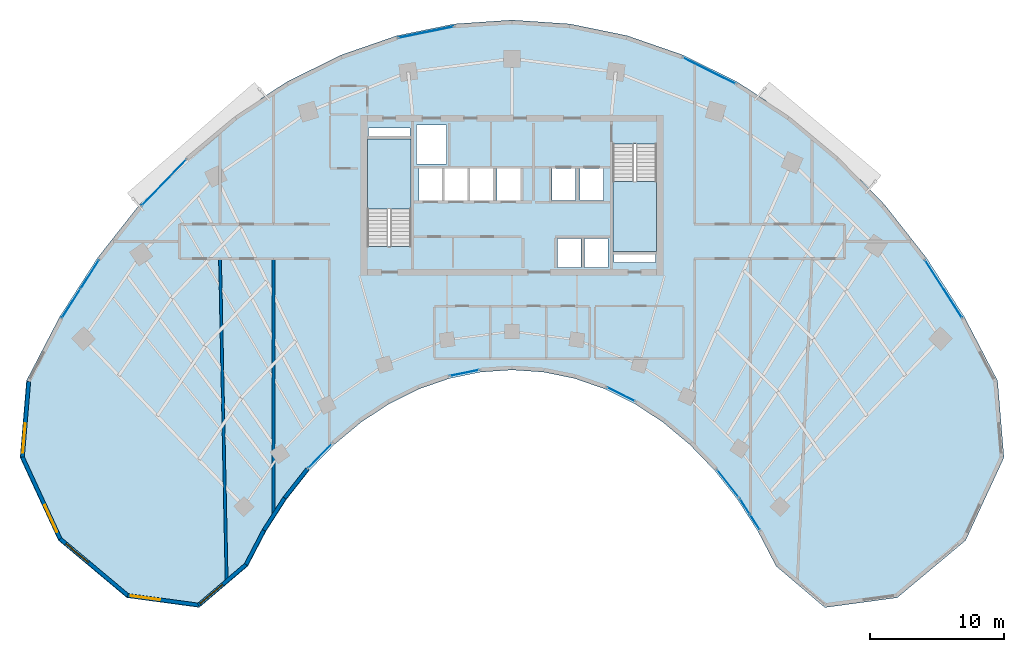
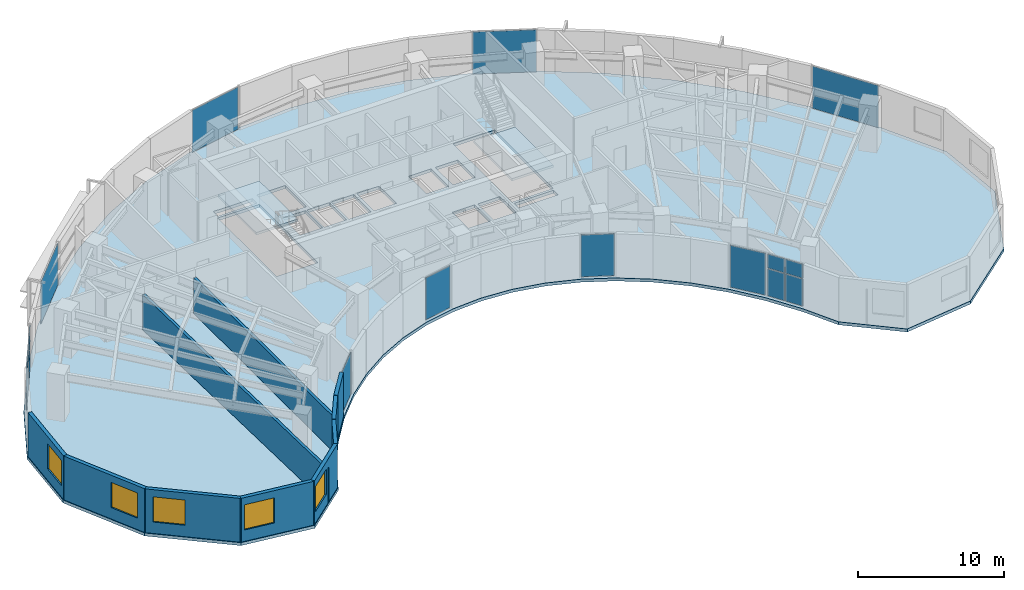
# One storey, part 7 of 14: 16 plates, 10 walls, 5 windows, 3 slabs, 5 openings, 12 elements without a shape of their own.
"""IFC4 building model written with IfcOpenShell, lengths in metres."""

from ifc_helpers import new_model, si_unit, direction, frame, frame_2d, origin, origin_2d, place, context, subcontext, project, spatial, polyline, rectangle, outline, extrude, source, transform, mapped, material, layer, layer_set, type_object, type_shapes, element, fill, aggregate, save


model = new_model("IFC4")

# Units and contexts
model_context = context("Model", 3, precision=1e-05, world=origin(), true_north=direction((0.0, 1.0)))
body_context = subcontext(model_context, "Body", "Model", "MODEL_VIEW")
ifc_project = project(units=[si_unit("LENGTHUNIT", "METRE"), si_unit("AREAUNIT", "SQUARE_METRE"), si_unit("VOLUMEUNIT", "CUBIC_METRE"), si_unit("PLANEANGLEUNIT", "RADIAN"), si_unit("MASSUNIT", "GRAM", prefix="KILO")], contexts=[model_context])

# Site, building, storey
site_placement = place(None, origin())
site = spatial("IfcSite", under=ifc_project, at=site_placement, CompositionType="ELEMENT")
building_placement = place(site_placement, origin())
building = spatial("IfcBuilding", under=site, at=building_placement, Name="Breltana Convention Tower", CompositionType="ELEMENT")
storey_placement = place(building_placement, frame((0.0, 0.0, 135.0)))
storey = spatial("IfcBuildingStorey", under=building, at=storey_placement, Name="L32", CompositionType="ELEMENT", Elevation=135.0)

# Slab
ifc_material_1 = material(Name="Concrete C40/50", Category="concrete")
ifc_layer_1 = layer(ifc_material_1, 0.25, Name="Concrete C40/50")
ifc_layer_set_1 = layer_set([ifc_layer_1], Name="Concrete C40/50")
slab_type_1 = type_object("IfcSlabType", Name="SL-OFF-250", PredefinedType="FLOOR", material=ifc_layer_set_1)
slab_1_placement = place(storey_placement, frame((0.0, 0.0, -0.25)))
element("IfcSlab", 1, at=slab_1_placement, inside=storey, type_object=slab_type_1, Name="L32 Suspended Structural Floor Slab", PredefinedType="FLOOR", context=body_context, shape_type="SweptSolid", body=[
    extrude(outline(polyline([(84.254150390625, 52.3564453125), (81.779052734375, 57.1103515625), (78.958251953125, 61.5048828125), (75.820556640625, 65.494873046875), (72.39794921875, 69.03955078125), (68.7255859375, 72.1025390625), (64.841064453125, 74.652587890625), (60.783935546875, 76.663818359375), (56.59619140625, 78.114990234375), (52.3203125, 78.99169921875), (48.0, 79.284912109375), (43.6796875, 78.99169921875), (39.40380859375, 78.114990234375), (35.216064453125, 76.663818359375), (31.158935546875, 74.652587890625), (27.2744140625, 72.1025390625), (23.60205078125, 69.03955078125), (20.179443359375, 65.494873046875), (17.041748046875, 61.5048828125), (14.220947265625, 57.1103515625), (11.745849609375, 52.3564453125), (11.266357421875, 46.619384765625), (14.128173828125, 40.42919921875), (19.23828125, 36.150146484375), (24.64501953125, 35.4169921875), (28.282958984375, 38.509521484375), (29.62890625, 41.09521484375), (31.1630859375, 43.485107421875), (32.869384765625, 45.655029296875), (34.73095703125, 47.5830078125), (36.728271484375, 49.248779296875), (38.8408203125, 50.6357421875), (41.04736328125, 51.7294921875), (43.324951171875, 52.518798828125), (45.650390625, 52.99560546875), (48.0, 53.155029296875), (50.349609375, 52.99560546875), (52.675048828125, 52.518798828125), (54.95263671875, 51.7294921875), (57.1591796875, 50.6357421875), (59.271728515625, 49.248779296875), (61.26904296875, 47.5830078125), (63.130615234375, 45.655029296875), (64.8369140625, 43.485107421875), (66.37109375, 41.09521484375), (67.717041015625, 38.509521484375), (71.35498046875, 35.4169921875), (76.76171875, 36.150146484375), (81.871826171875, 40.42919921875), (84.733642578125, 46.619384765625), (84.254150390625, 52.3564453125)]), holes=[polyline([(37.199951171875, 62.385009765625), (40.469970703125, 62.385009765625), (40.469970703125, 70.39990234375), (37.199951171875, 70.39990234375), (37.199951171875, 62.385009765625)]), polyline([(55.530029296875, 62.0), (58.800048828125, 62.0), (58.800048828125, 70.014892578125), (55.530029296875, 70.014892578125), (55.530029296875, 62.0)]), polyline([(51.39990234375, 60.800048828125), (53.159912109375, 60.800048828125), (53.159912109375, 62.97998046875), (51.39990234375, 62.97998046875), (51.39990234375, 60.800048828125)]), polyline([(53.39990234375, 60.800048828125), (55.159912109375, 60.800048828125), (55.159912109375, 62.97998046875), (53.39990234375, 62.97998046875), (53.39990234375, 60.800048828125)]), polyline([(41.0400390625, 65.820068359375), (42.800048828125, 65.820068359375), (42.800048828125, 68.179931640625), (41.0400390625, 68.179931640625), (41.0400390625, 65.820068359375)]), polyline([(42.93994140625, 65.820068359375), (44.699951171875, 65.820068359375), (44.699951171875, 68.179931640625), (42.93994140625, 68.179931640625), (42.93994140625, 65.820068359375)]), polyline([(44.8701171875, 65.820068359375), (46.6298828125, 65.820068359375), (46.6298828125, 68.179931640625), (44.8701171875, 68.179931640625), (44.8701171875, 65.820068359375)]), polyline([(46.8701171875, 65.820068359375), (48.6298828125, 65.820068359375), (48.6298828125, 68.179931640625), (46.8701171875, 68.179931640625), (46.8701171875, 65.820068359375)]), polyline([(50.969970703125, 65.800048828125), (52.72998046875, 65.800048828125), (52.72998046875, 68.179931640625), (50.969970703125, 68.179931640625), (50.969970703125, 65.800048828125)]), polyline([(53.070068359375, 65.800048828125), (54.830078125, 65.800048828125), (54.830078125, 68.179931640625), (53.070068359375, 68.179931640625), (53.070068359375, 65.800048828125)]), polyline([(40.8798828125, 68.550048828125), (43.1201171875, 68.550048828125), (43.1201171875, 71.449951171875), (40.8798828125, 71.449951171875), (40.8798828125, 68.550048828125)]), polyline([(37.300048828125, 70.60009765625), (40.3798828125, 70.60009765625), (40.3798828125, 71.219970703125), (37.300048828125, 71.219970703125), (37.300048828125, 70.60009765625)]), polyline([(55.6201171875, 61.179931640625), (58.699951171875, 61.179931640625), (58.699951171875, 61.800048828125), (55.6201171875, 61.800048828125), (55.6201171875, 61.179931640625)])]), origin(), (0.0, 0.0, 1.0), 0.25),
])

# Stair, slab
stair_type = type_object("IfcStairType", Name="ST-DOG-1560-R177", PredefinedType="HALF_TURN_STAIR", material=ifc_material_1)
stair_1_placement = place(storey_placement, origin())
stair_1 = element("IfcStair", 2, at=stair_1_placement, inside=storey, type_object=stair_type, Name="L32 Protected Core Exit Stair ST-1", PredefinedType="HALF_TURN_STAIR")
ifc_layer_2 = layer(ifc_material_1, 0.199951171875, Name="Concrete C40/50")
ifc_layer_set_2 = layer_set([ifc_layer_2], Name="Concrete C40/50")
slab_type_2 = type_object("IfcSlabType", Name="SL-STAIR-LANDING-200", PredefinedType="LANDING", material=ifc_layer_set_2)
slab_2_placement = place(storey_placement, frame((0.0, 0.0, 1.75)))
slab_2 = element("IfcSlab", 3, at=slab_2_placement, type_object=slab_type_2, Name="ST-1 landing 1", PredefinedType="LANDING", context=body_context, shape_type="SweptSolid", body=[
    extrude(outline(polyline([(40.469970703125, 65.159912109375), (40.469970703125, 70.39990234375), (37.199951171875, 70.39990234375), (37.199951171875, 65.159912109375), (40.469970703125, 65.159912109375)])), origin(), (0.0, 0.0, 1.0), 0.199951171875),
])
aggregate(stair_1, [slab_2])

stair_2_placement = place(storey_placement, origin())
stair_2 = element("IfcStair", 4, at=stair_2_placement, inside=storey, type_object=stair_type, Name="L32 Protected Core Exit Stair ST-2", PredefinedType="HALF_TURN_STAIR")
slab_3_placement = place(storey_placement, frame((0.0, 0.0, 1.75)))
slab_3 = element("IfcSlab", 5, at=slab_3_placement, type_object=slab_type_2, Name="ST-2 landing 1", PredefinedType="LANDING", context=body_context, shape_type="SweptSolid", body=[
    extrude(outline(polyline([(55.530029296875, 67.239990234375), (55.530029296875, 62.0), (58.800048828125, 62.0), (58.800048828125, 67.239990234375), (55.530029296875, 67.239990234375)])), origin(), (0.0, 0.0, 1.0), 0.199951171875),
])
aggregate(stair_2, [slab_3])

# Curtain wall, plates
ifc_material_2 = material(Name="Aluminium Anodised Bronze Frame", Category="aluminium")
ifc_layer_3 = layer(ifc_material_2, 0.18994140625, Name="Aluminium Anodised Bronze Frame")
ifc_layer_set_3 = layer_set([ifc_layer_3], Name="Aluminium Anodised Bronze Frame")
curtain_wall_type_1 = type_object("IfcCurtainWallType", Name="CW-SYS-1", PredefinedType="NOTDEFINED", material=ifc_layer_set_3)
curtain_wall_1_placement = place(storey_placement, origin())
curtain_wall_1 = element("IfcCurtainWall", 6, at=curtain_wall_1_placement, inside=storey, type_object=curtain_wall_type_1, Name="L32 inner south-court glazing 1", PredefinedType="NOTDEFINED")
ifc_material_3 = material(Name="Glass Low-E Double Glazing", Category="glass")
ifc_layer_4 = layer(ifc_material_3, 0.028076171875, Name="Glass Low-E Double Glazing")
ifc_layer_set_4 = layer_set([ifc_layer_4], Name="Glass Low-E Double Glazing")
plate_type_1 = type_object("IfcPlateType", Name="CWP-IGU-28", PredefinedType="CURTAIN_PANEL", material=ifc_layer_set_4)
shared_shape_1 = source(origin(), body_context, "Body", "SweptSolid", [
    extrude(rectangle(XDim=1.300048828125, YDim=0.028076171875, at=origin_2d()), origin(), (0.0, 0.0, 1.0), 2.25244140625),
])
plate_1_placement = place(storey_placement, frame((66.128173828125, 41.806640625, 0.080078125), z_axis=(0.0, 0.0, 1.0), x_axis=(-0.5401773017, 0.841551235949, 0.0)))
plate_1 = element("IfcPlate", 7, at=plate_1_placement, type_object=plate_type_1, Name="CW-01 panel 1.1", PredefinedType="CURTAIN_PANEL", context=body_context, shape_type="MappedRepresentation", body=[
    mapped(shared_shape_1, transform((0.0, 0.0, 0.0), scale=1.0)),
])
plate_2_placement = place(storey_placement, frame((65.3828125, 42.968017578125, 0.080078125), z_axis=(0.0, 0.0, 1.0), x_axis=(-0.5401773017, 0.841551235949, 0.0)))
plate_2 = element("IfcPlate", 8, at=plate_2_placement, type_object=plate_type_1, Name="CW-01 panel 2.1", PredefinedType="CURTAIN_PANEL", context=body_context, shape_type="MappedRepresentation", body=[
    mapped(shared_shape_1, transform((0.0, 0.0, 0.0), scale=1.0)),
])
shared_shape_2 = source(origin(), body_context, "Body", "SweptSolid", [
    extrude(rectangle(XDim=1.300048828125, YDim=0.028076171875, at=origin_2d()), origin(), (0.0, 0.0, 1.0), 1.157470703125),
])
plate_3_placement = place(storey_placement, frame((66.128173828125, 41.806640625, 2.41259765625), z_axis=(0.0, 0.0, 1.0), x_axis=(-0.5401773017, 0.841551235949, 0.0)))
plate_3 = element("IfcPlate", 9, at=plate_3_placement, type_object=plate_type_1, Name="CW-01 panel 1.2", PredefinedType="CURTAIN_PANEL", context=body_context, shape_type="MappedRepresentation", body=[
    mapped(shared_shape_2, transform((0.0, 0.0, 0.0), scale=1.0)),
])
plate_4_placement = place(storey_placement, frame((65.3828125, 42.968017578125, 2.41259765625), z_axis=(0.0, 0.0, 1.0), x_axis=(-0.5401773017, 0.841551235949, 0.0)))
plate_4 = element("IfcPlate", 10, at=plate_4_placement, type_object=plate_type_1, Name="CW-01 panel 2.2", PredefinedType="CURTAIN_PANEL", context=body_context, shape_type="MappedRepresentation", body=[
    mapped(shared_shape_2, transform((0.0, 0.0, 0.0), scale=1.0)),
])
aggregate(curtain_wall_1, [plate_1, plate_3, plate_2, plate_4])

# Curtain wall, plate
curtain_wall_2_placement = place(storey_placement, origin())
curtain_wall_2 = element("IfcCurtainWall", 11, at=curtain_wall_2_placement, inside=storey, type_object=curtain_wall_type_1, Name="L32 inner south-court glazing 2", PredefinedType="NOTDEFINED")
shared_shape_3 = source(origin(), body_context, "Body", "SweptSolid", [
    extrude(rectangle(XDim=2.6005859375, YDim=0.028076171875, at=origin_2d()), origin(), (0.0, 0.0, 1.0), 3.489990234375),
])
plate_5_placement = place(storey_placement, frame((64.125244140625, 44.681396484375, 0.080078125), z_axis=(0.0, 0.0, 1.0), x_axis=(-0.61815745037, 0.786054302547, 0.0)))
plate_5 = element("IfcPlate", 12, at=plate_5_placement, type_object=plate_type_1, Name="CW-01 panel 1.1", PredefinedType="CURTAIN_PANEL", context=body_context, shape_type="MappedRepresentation", body=[
    mapped(shared_shape_3, transform((0.0, 0.0, 0.0), scale=1.0)),
])
aggregate(curtain_wall_2, [plate_5])

# Curtain wall, plates
ifc_layer_5 = layer(ifc_material_2, 0.22998046875, Name="Aluminium Anodised Bronze Frame")
ifc_layer_set_5 = layer_set([ifc_layer_5], Name="Aluminium Anodised Bronze Frame")
curtain_wall_type_2 = type_object("IfcCurtainWallType", Name="CW-SYS-5", PredefinedType="NOTDEFINED", material=ifc_layer_set_5)
curtain_wall_3_placement = place(storey_placement, origin())
curtain_wall_3 = element("IfcCurtainWall", 13, at=curtain_wall_3_placement, inside=storey, type_object=curtain_wall_type_2, Name="L32 outer double-skin inner glazing 1", PredefinedType="NOTDEFINED")
ifc_layer_6 = layer(ifc_material_3, 0.035888671875, Name="Glass Low-E Double Glazing")
ifc_layer_set_6 = layer_set([ifc_layer_6], Name="Glass Low-E Double Glazing")
plate_type_2 = type_object("IfcPlateType", Name="CWP-IGU-36", PredefinedType="CURTAIN_PANEL", material=ifc_layer_set_6)
shared_shape_4 = source(origin(), body_context, "Body", "SweptSolid", [
    extrude(rectangle(XDim=2.49755859375, YDim=0.035888671875, at=origin_2d()), origin(), (0.0, 0.0, 1.0), 2.267578125),
])
plate_6_placement = place(storey_placement, frame((15.089111328125, 58.1298828125, 0.070068359375), z_axis=(0.0, 0.0, 1.0), x_axis=(0.540176809834, 0.84155155167, 0.0)))
plate_6 = element("IfcPlate", 14, at=plate_6_placement, type_object=plate_type_2, Name="CW-05 panel 1.1", PredefinedType="CURTAIN_PANEL", context=body_context, shape_type="MappedRepresentation", body=[
    mapped(shared_shape_4, transform((0.0, 0.0, 0.0), scale=1.0)),
])
plate_7_placement = place(storey_placement, frame((16.47607421875, 60.29052734375, 0.070068359375), z_axis=(0.0, 0.0, 1.0), x_axis=(0.540176809834, 0.84155155167, 0.0)))
plate_7 = element("IfcPlate", 15, at=plate_7_placement, type_object=plate_type_2, Name="CW-05 panel 2.1", PredefinedType="CURTAIN_PANEL", context=body_context, shape_type="MappedRepresentation", body=[
    mapped(shared_shape_4, transform((0.0, 0.0, 0.0), scale=1.0)),
])
shared_shape_5 = source(origin(), body_context, "Body", "SweptSolid", [
    extrude(rectangle(XDim=2.49755859375, YDim=0.035888671875, at=origin_2d()), origin(), (0.0, 0.0, 1.0), 1.172607421875),
])
plate_8_placement = place(storey_placement, frame((15.089111328125, 58.1298828125, 2.4072265625), z_axis=(0.0, 0.0, 1.0), x_axis=(0.540176809834, 0.84155155167, 0.0)))
plate_8 = element("IfcPlate", 16, at=plate_8_placement, type_object=plate_type_2, Name="CW-05 panel 1.2", PredefinedType="CURTAIN_PANEL", context=body_context, shape_type="MappedRepresentation", body=[
    mapped(shared_shape_5, transform((0.0, 0.0, 0.0), scale=1.0)),
])
plate_9_placement = place(storey_placement, frame((16.47607421875, 60.29052734375, 2.4072265625), z_axis=(0.0, 0.0, 1.0), x_axis=(0.540176809834, 0.84155155167, 0.0)))
plate_9 = element("IfcPlate", 17, at=plate_9_placement, type_object=plate_type_2, Name="CW-05 panel 2.2", PredefinedType="CURTAIN_PANEL", context=body_context, shape_type="MappedRepresentation", body=[
    mapped(shared_shape_5, transform((0.0, 0.0, 0.0), scale=1.0)),
])
aggregate(curtain_wall_3, [plate_6, plate_8, plate_7, plate_9])

# Curtain wall, plate
curtain_wall_4_placement = place(storey_placement, origin())
curtain_wall_4 = element("IfcCurtainWall", 18, at=curtain_wall_4_placement, inside=storey, type_object=curtain_wall_type_2, Name="L32 outer double-skin inner glazing 4", PredefinedType="NOTDEFINED")
shared_shape_6 = source(origin(), body_context, "Body", "SweptSolid", [
    extrude(rectangle(XDim=4.36572265625, YDim=0.035888671875, at=origin_2d()), origin(), (0.0, 0.0, 1.0), 3.510009765625),
])
plate_10_placement = place(storey_placement, frame((62.73291015625, 75.496826171875, 0.06982421875), z_axis=(0.0, 0.0, 1.0), x_axis=(0.895966548937, -0.444121541007, 0.0)))
plate_10 = element("IfcPlate", 19, at=plate_10_placement, type_object=plate_type_2, Name="CW-05 panel 1.1", PredefinedType="CURTAIN_PANEL", context=body_context, shape_type="MappedRepresentation", body=[
    mapped(shared_shape_6, transform((0.0, 0.0, 0.0), scale=1.0)),
])
aggregate(curtain_wall_4, [plate_10])

curtain_wall_5_placement = place(storey_placement, origin())
curtain_wall_5 = element("IfcCurtainWall", 20, at=curtain_wall_5_placement, inside=storey, type_object=curtain_wall_type_2, Name="L32 outer double-skin inner glazing 3", PredefinedType="NOTDEFINED")
shared_shape_7 = source(origin(), body_context, "Body", "SweptSolid", [
    extrude(rectangle(XDim=4.200927734375, YDim=0.035888671875, at=origin_2d()), origin(), (0.0, 0.0, 1.0), 3.510009765625),
])
plate_11_placement = place(storey_placement, frame((41.577880859375, 78.376953125, 0.06982421875), z_axis=(0.0, 0.0, 1.0), x_axis=(0.979620254346, 0.200858550415, 0.0)))
plate_11 = element("IfcPlate", 21, at=plate_11_placement, type_object=plate_type_2, Name="CW-05 panel 1.1", PredefinedType="CURTAIN_PANEL", context=body_context, shape_type="MappedRepresentation", body=[
    mapped(shared_shape_7, transform((0.0, 0.0, 0.0), scale=1.0)),
])
aggregate(curtain_wall_5, [plate_11])

curtain_wall_6_placement = place(storey_placement, origin())
curtain_wall_6 = element("IfcCurtainWall", 22, at=curtain_wall_6_placement, inside=storey, type_object=curtain_wall_type_2, Name="L32 outer double-skin inner glazing 2", PredefinedType="NOTDEFINED")
shared_shape_8 = source(origin(), body_context, "Body", "SweptSolid", [
    extrude(rectangle(XDim=4.7685546875, YDim=0.035888671875, at=origin_2d()), origin(), (0.0, 0.0, 1.0), 3.510009765625),
])
plate_12_placement = place(storey_placement, frame((22.02001953125, 67.141845703125, 0.06982421875), z_axis=(0.0, 0.0, 1.0), x_axis=(0.694611601605, 0.719384961558, 0.0)))
plate_12 = element("IfcPlate", 23, at=plate_12_placement, type_object=plate_type_2, Name="CW-05 panel 1.1", PredefinedType="CURTAIN_PANEL", context=body_context, shape_type="MappedRepresentation", body=[
    mapped(shared_shape_8, transform((0.0, 0.0, 0.0), scale=1.0)),
])
aggregate(curtain_wall_6, [plate_12])

curtain_wall_7_placement = place(storey_placement, origin())
curtain_wall_7 = element("IfcCurtainWall", 24, at=curtain_wall_7_placement, inside=storey, type_object=curtain_wall_type_1, Name="L32 inner south-court glazing 3", PredefinedType="NOTDEFINED")
shared_shape_9 = source(origin(), body_context, "Body", "SweptSolid", [
    extrude(rectangle(XDim=2.302490234375, YDim=0.028076171875, at=origin_2d()), origin(), (0.0, 0.0, 1.0), 3.489990234375),
])
plate_13_placement = place(storey_placement, frame((56.1357421875, 51.34375, 0.080078125), z_axis=(0.0, 0.0, 1.0), x_axis=(-0.895964953495, 0.444124759622, 0.0)))
plate_13 = element("IfcPlate", 25, at=plate_13_placement, type_object=plate_type_1, Name="CW-01 panel 1.1", PredefinedType="CURTAIN_PANEL", context=body_context, shape_type="MappedRepresentation", body=[
    mapped(shared_shape_9, transform((0.0, 0.0, 0.0), scale=1.0)),
])
aggregate(curtain_wall_7, [plate_13])

curtain_wall_8_placement = place(storey_placement, origin())
curtain_wall_8 = element("IfcCurtainWall", 26, at=curtain_wall_8_placement, inside=storey, type_object=curtain_wall_type_1, Name="L32 inner south-court glazing 4", PredefinedType="NOTDEFINED")
shared_shape_10 = source(origin(), body_context, "Body", "SweptSolid", [
    extrude(rectangle(XDim=2.2138671875, YDim=0.028076171875, at=origin_2d()), origin(), (0.0, 0.0, 1.0), 3.489990234375),
])
plate_14_placement = place(storey_placement, frame((44.451416015625, 52.933349609375, 0.080078125), z_axis=(0.0, 0.0, 1.0), x_axis=(-0.979621406891, -0.200852929183, 0.0)))
plate_14 = element("IfcPlate", 27, at=plate_14_placement, type_object=plate_type_1, Name="CW-01 panel 1.1", PredefinedType="CURTAIN_PANEL", context=body_context, shape_type="MappedRepresentation", body=[
    mapped(shared_shape_10, transform((0.0, 0.0, 0.0), scale=1.0)),
])
aggregate(curtain_wall_8, [plate_14])

curtain_wall_9_placement = place(storey_placement, origin())
curtain_wall_9 = element("IfcCurtainWall", 28, at=curtain_wall_9_placement, inside=storey, type_object=curtain_wall_type_1, Name="L32 inner south-court glazing 5", PredefinedType="NOTDEFINED")
shared_shape_11 = source(origin(), body_context, "Body", "SweptSolid", [
    extrude(rectangle(XDim=2.519775390625, YDim=0.028076171875, at=origin_2d()), origin(), (0.0, 0.0, 1.0), 3.489990234375),
])
plate_15_placement = place(storey_placement, frame((33.670654296875, 46.743896484375, 0.080078125), z_axis=(0.0, 0.0, 1.0), x_axis=(-0.694609164589, -0.719387314642, 0.0)))
plate_15 = element("IfcPlate", 29, at=plate_15_placement, type_object=plate_type_1, Name="CW-01 panel 1.1", PredefinedType="CURTAIN_PANEL", context=body_context, shape_type="MappedRepresentation", body=[
    mapped(shared_shape_11, transform((0.0, 0.0, 0.0), scale=1.0)),
])
aggregate(curtain_wall_9, [plate_15])

curtain_wall_10_placement = place(storey_placement, origin())
curtain_wall_10 = element("IfcCurtainWall", 30, at=curtain_wall_10_placement, inside=storey, type_object=curtain_wall_type_2, Name="L32 outer double-skin inner glazing 5", PredefinedType="NOTDEFINED")
shared_shape_12 = source(origin(), body_context, "Body", "SweptSolid", [
    extrude(rectangle(XDim=5.065185546875, YDim=0.035888671875, at=origin_2d()), origin(), (0.0, 0.0, 1.0), 3.510009765625),
])
plate_16_placement = place(storey_placement, frame((80.21728515625, 59.210205078125, 0.06982421875), z_axis=(0.0, 0.0, 1.0), x_axis=(0.540176809834, -0.84155155167, 0.0)))
plate_16 = element("IfcPlate", 31, at=plate_16_placement, type_object=plate_type_2, Name="CW-05 panel 1.1", PredefinedType="CURTAIN_PANEL", context=body_context, shape_type="MappedRepresentation", body=[
    mapped(shared_shape_12, transform((0.0, 0.0, 0.0), scale=1.0)),
])
aggregate(curtain_wall_10, [plate_16])

# Wall, opening, window
ifc_material_4 = material(Name="Limestone Buff Insulated Wall", Category="masonry")
ifc_layer_7 = layer(ifc_material_4, 0.280029296875, Name="Limestone Buff Insulated Wall")
ifc_layer_set_7 = layer_set([ifc_layer_7], Name="Limestone Buff Insulated Wall")
wall_type_1 = type_object("IfcWallType", Name="WL-EXT-NOSE-280", PredefinedType="SOLIDWALL", material=ifc_layer_set_7)
shared_shape_13 = source(origin(), body_context, "Body", "SweptSolid", [
    extrude(rectangle(XDim=5.673583984375, YDim=0.280029296875, at=frame_2d((2.8369140625, 0.0))), origin(), (0.0, 0.0, 1.0), 3.64990234375),
])
wall_1_placement = place(storey_placement, frame((11.44970703125, 46.651611328125, 0.0), z_axis=(0.0, 0.0, 1.0), x_axis=(0.083309007867, 0.996523762491, 0.0)))
wall_1 = element("IfcWall", 32, at=wall_1_placement, inside=storey, type_object=wall_type_1, Name="L32 curved limestone nose wall W6", PredefinedType="SOLIDWALL", context=body_context, shape_type="MappedRepresentation", body=[
    mapped(shared_shape_13, transform((0.0, 0.0, 0.0), scale=1.0)),
])
opening_1_placement = place(wall_1_placement, frame((0.318359375, 0.0, 0.949951171875)))
opening_1 = element("IfcOpeningElement", 33, at=opening_1_placement, cuts=wall_1, Name="Opening W-03", PredefinedType="OPENING", context=body_context, shape_type="SweptSolid", body=[
    extrude(rectangle(XDim=2.199951171875, YDim=2.10009765625, at=frame_2d((1.10009765625, 1.050048828125))), frame((0.0, 0.14990234375, 0.0), z_axis=(0.0, -1.0, 0.0), x_axis=(1.0, 0.0, 0.0)), (0.0, 0.0, 1.0), 0.300048828125),
])
ifc_material_5 = material(Name="Glass Low-E Insulated Window", Category="glass")
window_type = type_object("IfcWindowType", Name="WN-NOSE-2200X2100", PartitioningType="TRIPLE_PANEL_VERTICAL", PredefinedType="WINDOW", material=ifc_material_5)
shared_shape_14 = source(origin(), body_context, "Body", "SweptSolid", [
    extrude(rectangle(XDim=2.199951171875, YDim=2.10009765625, at=frame_2d((1.10009765625, 1.050048828125))), frame((0.0, 0.030029296875, 0.0), z_axis=(0.0, -1.0, 0.0), x_axis=(1.0, 0.0, 0.0)), (0.0, 0.0, 1.0), 0.06005859375),
])
type_shapes(window_type, [shared_shape_14])
window_1_placement = place(opening_1_placement, origin())
window_1 = element("IfcWindow", 34, at=window_1_placement, inside=storey, type_object=window_type, Name="L32 nose window W6", OverallHeight=2.10009765625, OverallWidth=2.199951171875, PartitioningType="TRIPLE_PANEL_VERTICAL", PredefinedType="WINDOW", context=body_context, shape_type="MappedRepresentation", body=[
    mapped(shared_shape_14, transform((0.0, 0.0, 0.0), scale=1.0)),
])
fill(opening_1, window_1)

shared_shape_15 = source(origin(), body_context, "Body", "SweptSolid", [
    extrude(rectangle(XDim=6.731689453125, YDim=0.280029296875, at=frame_2d((3.36572265625, 0.0))), origin(), (0.0, 0.0, 1.0), 3.64990234375),
])
wall_2_placement = place(storey_placement, frame((14.274658203125, 40.541259765625, 0.0), z_axis=(0.0, 0.0, 1.0), x_axis=(-0.419644552709, 0.907688520023, 0.0)))
wall_2 = element("IfcWall", 35, at=wall_2_placement, inside=storey, type_object=wall_type_1, Name="L32 curved limestone nose wall W5", PredefinedType="SOLIDWALL", context=body_context, shape_type="MappedRepresentation", body=[
    mapped(shared_shape_15, transform((0.0, 0.0, 0.0), scale=1.0)),
])
opening_2_placement = place(wall_2_placement, frame((0.5830078125, 0.0, 0.949951171875)))
opening_2 = element("IfcOpeningElement", 36, at=opening_2_placement, cuts=wall_2, Name="Opening W-03", PredefinedType="OPENING", context=body_context, shape_type="SweptSolid", body=[
    extrude(rectangle(XDim=2.199951171875, YDim=2.10009765625, at=frame_2d((1.10009765625, 1.050048828125))), frame((0.0, 0.14990234375, 0.0), z_axis=(0.0, -1.0, 0.0), x_axis=(1.0, 0.0, 0.0)), (0.0, 0.0, 1.0), 0.300048828125),
])
window_2_placement = place(opening_2_placement, origin())
window_2 = element("IfcWindow", 37, at=window_2_placement, inside=storey, type_object=window_type, Name="L32 nose window W5", OverallHeight=2.10009765625, OverallWidth=2.199951171875, PartitioningType="TRIPLE_PANEL_VERTICAL", PredefinedType="WINDOW", context=body_context, shape_type="MappedRepresentation", body=[
    mapped(shared_shape_14, transform((0.0, 0.0, 0.0), scale=1.0)),
])
fill(opening_2, window_2)

shared_shape_16 = source(origin(), body_context, "Body", "SweptSolid", [
    extrude(rectangle(XDim=6.572998046875, YDim=0.280029296875, at=frame_2d((3.28662109375, 0.0))), origin(), (0.0, 0.0, 1.0), 3.64990234375),
])
wall_3_placement = place(storey_placement, frame((19.314208984375, 36.321533203125, 0.0), z_axis=(0.0, 0.0, 1.0), x_axis=(-0.766715154163, 0.641987439423, 0.0)))
wall_3 = element("IfcWall", 38, at=wall_3_placement, inside=storey, type_object=wall_type_1, Name="L32 curved limestone nose wall W4", PredefinedType="SOLIDWALL", context=body_context, shape_type="MappedRepresentation", body=[
    mapped(shared_shape_16, transform((0.0, 0.0, 0.0), scale=1.0)),
])
opening_3_placement = place(wall_3_placement, frame((3.82958984375, 0.0, 0.949951171875)))
opening_3 = element("IfcOpeningElement", 39, at=opening_3_placement, cuts=wall_3, Name="Opening W-03", PredefinedType="OPENING", context=body_context, shape_type="SweptSolid", body=[
    extrude(rectangle(XDim=2.199951171875, YDim=2.10009765625, at=frame_2d((1.10009765625, 1.050048828125))), frame((0.0, 0.14990234375, 0.0), z_axis=(0.0, -1.0, 0.0), x_axis=(1.0, 0.0, 0.0)), (0.0, 0.0, 1.0), 0.300048828125),
])
window_3_placement = place(opening_3_placement, origin())
window_3 = element("IfcWindow", 40, at=window_3_placement, inside=storey, type_object=window_type, Name="L32 nose window W4", OverallHeight=2.10009765625, OverallWidth=2.199951171875, PartitioningType="TRIPLE_PANEL_VERTICAL", PredefinedType="WINDOW", context=body_context, shape_type="MappedRepresentation", body=[
    mapped(shared_shape_14, transform((0.0, 0.0, 0.0), scale=1.0)),
])
fill(opening_3, window_3)

shared_shape_17 = source(origin(), body_context, "Body", "SweptSolid", [
    extrude(rectangle(XDim=5.32373046875, YDim=0.280029296875, at=frame_2d((2.661865234375, 0.0))), origin(), (0.0, 0.0, 1.0), 3.64990234375),
])
wall_4_placement = place(storey_placement, frame((24.589599609375, 35.606201171875, 0.0), z_axis=(0.0, 0.0, 1.0), x_axis=(-0.990931467223, 0.134368252451, 0.0)))
wall_4 = element("IfcWall", 41, at=wall_4_placement, inside=storey, type_object=wall_type_1, Name="L32 curved limestone nose wall W3", PredefinedType="SOLIDWALL", context=body_context, shape_type="MappedRepresentation", body=[
    mapped(shared_shape_17, transform((0.0, 0.0, 0.0), scale=1.0)),
])
opening_4_placement = place(wall_4_placement, frame((2.892822265625, 0.0, 0.949951171875)))
opening_4 = element("IfcOpeningElement", 42, at=opening_4_placement, cuts=wall_4, Name="Opening W-03", PredefinedType="OPENING", context=body_context, shape_type="SweptSolid", body=[
    extrude(rectangle(XDim=2.199951171875, YDim=2.10009765625, at=frame_2d((1.10009765625, 1.050048828125))), frame((0.0, 0.14990234375, 0.0), z_axis=(0.0, -1.0, 0.0), x_axis=(1.0, 0.0, 0.0)), (0.0, 0.0, 1.0), 0.300048828125),
])
window_4_placement = place(opening_4_placement, origin())
window_4 = element("IfcWindow", 43, at=window_4_placement, inside=storey, type_object=window_type, Name="L32 nose window W3", OverallHeight=2.10009765625, OverallWidth=2.199951171875, PartitioningType="TRIPLE_PANEL_VERTICAL", PredefinedType="WINDOW", context=body_context, shape_type="MappedRepresentation", body=[
    mapped(shared_shape_14, transform((0.0, 0.0, 0.0), scale=1.0)),
])
fill(opening_4, window_4)

shared_shape_18 = source(origin(), body_context, "Body", "SweptSolid", [
    extrude(rectangle(XDim=4.6591796875, YDim=0.280029296875, at=frame_2d((2.32958984375, 0.0))), origin(), (0.0, 0.0, 1.0), 3.64990234375),
])
wall_5_placement = place(storey_placement, frame((28.139404296875, 38.623779296875, 0.0), z_axis=(0.0, 0.0, 1.0), x_axis=(-0.761913458795, -0.647678841176, 0.0)))
wall_5 = element("IfcWall", 44, at=wall_5_placement, inside=storey, type_object=wall_type_1, Name="L32 curved limestone nose wall W2", PredefinedType="SOLIDWALL", context=body_context, shape_type="MappedRepresentation", body=[
    mapped(shared_shape_18, transform((0.0, 0.0, 0.0), scale=1.0)),
])
opening_5_placement = place(wall_5_placement, frame((2.29931640625, 0.0, 0.949951171875)))
opening_5 = element("IfcOpeningElement", 45, at=opening_5_placement, cuts=wall_5, Name="Opening W-03", PredefinedType="OPENING", context=body_context, shape_type="SweptSolid", body=[
    extrude(rectangle(XDim=2.199951171875, YDim=2.10009765625, at=frame_2d((1.10009765625, 1.050048828125))), frame((0.0, 0.14990234375, 0.0), z_axis=(0.0, -1.0, 0.0), x_axis=(1.0, 0.0, 0.0)), (0.0, 0.0, 1.0), 0.300048828125),
])
window_5_placement = place(opening_5_placement, origin())
window_5 = element("IfcWindow", 46, at=window_5_placement, inside=storey, type_object=window_type, Name="L32 nose window W2", OverallHeight=2.10009765625, OverallWidth=2.199951171875, PartitioningType="TRIPLE_PANEL_VERTICAL", PredefinedType="WINDOW", context=body_context, shape_type="MappedRepresentation", body=[
    mapped(shared_shape_14, transform((0.0, 0.0, 0.0), scale=1.0)),
])
fill(opening_5, window_5)

# Walls
shared_shape_19 = source(origin(), body_context, "Body", "SweptSolid", [
    extrude(rectangle(XDim=2.8798828125, YDim=0.280029296875, at=frame_2d((1.43994140625, 0.0))), origin(), (0.0, 0.0, 1.0), 3.64990234375),
])
wall_6_placement = place(storey_placement, frame((29.46923828125, 41.17822265625, 0.0), z_axis=(0.0, 0.0, 1.0), x_axis=(-0.461769086658, -0.887000175088, 0.0)))
element("IfcWall", 47, at=wall_6_placement, inside=storey, type_object=wall_type_1, Name="L32 curved limestone nose wall W1", PredefinedType="SOLIDWALL", context=body_context, shape_type="MappedRepresentation", body=[
    mapped(shared_shape_19, transform((0.0, 0.0, 0.0), scale=1.0)),
])
shared_shape_20 = source(origin(), body_context, "Body", "SweptSolid", [
    extrude(rectangle(XDim=2.760498046875, YDim=0.280029296875, at=frame_2d((1.38037109375, 0.0))), origin(), (0.0, 0.0, 1.0), 3.64990234375),
])
wall_7_placement = place(storey_placement, frame((32.72802734375, 45.766357421875, 0.0), z_axis=(0.0, 0.0, 1.0), x_axis=(-0.618180818641, -0.786035925047, 0.0)))
element("IfcWall", 48, at=wall_7_placement, inside=storey, type_object=wall_type_1, Name="L32 curved limestone nose wall E18", PredefinedType="SOLIDWALL", context=body_context, shape_type="MappedRepresentation", body=[
    mapped(shared_shape_20, transform((0.0, 0.0, 0.0), scale=1.0)),
])
shared_shape_21 = source(origin(), body_context, "Body", "SweptSolid", [
    extrude(rectangle(XDim=2.83984375, YDim=0.280029296875, at=frame_2d((1.419921875, 0.0))), origin(), (0.0, 0.0, 1.0), 3.64990234375),
])
wall_8_placement = place(storey_placement, frame((31.011474609375, 43.582275390625, 0.0), z_axis=(0.0, 0.0, 1.0), x_axis=(-0.540214368057, -0.841527442538, 0.0)))
element("IfcWall", 49, at=wall_8_placement, inside=storey, type_object=wall_type_1, Name="L32 curved limestone nose wall E19", PredefinedType="SOLIDWALL", context=body_context, shape_type="MappedRepresentation", body=[
    mapped(shared_shape_21, transform((0.0, 0.0, 0.0), scale=1.0)),
])
ifc_material_6 = material(Name="Autoclaved Aerated Masonry Blockwork", Category="masonry")
ifc_layer_8 = layer(ifc_material_6, 0.2099609375, Name="Autoclaved Aerated Masonry Blockwork")
ifc_layer_set_8 = layer_set([ifc_layer_8], Name="Autoclaved Aerated Masonry Blockwork")
wall_type_2 = type_object("IfcWallType", Name="WL-PART-200", PredefinedType="PARTITIONING", material=ifc_layer_set_8)
shared_shape_22 = source(origin(), body_context, "Body", "SweptSolid", [
    extrude(rectangle(XDim=24.2041015625, YDim=0.2099609375, at=frame_2d((12.10205078125, 0.0))), origin(), (0.0, 0.0, 1.0), 2.94189453125),
])
wall_9_placement = place(storey_placement, frame((26.69775390625, 37.240966796875, 0.0), z_axis=(0.0, 0.0, 1.0), x_axis=(-0.020566881318, 0.999788479326, 0.0)))
element("IfcWall", 50, at=wall_9_placement, inside=storey, type_object=wall_type_2, Name="L32 interior partition W-L32-ZWS1-E", PredefinedType="PARTITIONING", context=body_context, shape_type="MappedRepresentation", body=[
    mapped(shared_shape_22, transform((0.0, 0.0, 0.0), scale=1.0)),
])
shared_shape_23 = source(origin(), body_context, "Body", "SweptSolid", [
    extrude(rectangle(XDim=19.103271484375, YDim=0.2099609375, at=frame_2d((9.5517578125, 0.0))), origin(), (0.0, 0.0, 1.0), 2.94189453125),
])
wall_10_placement = place(storey_placement, frame((30.199951171875, 42.336669921875, 0.0), z_axis=(0.0, 0.0, 1.0), x_axis=(0.0, 1.0, 0.0)))
element("IfcWall", 51, at=wall_10_placement, inside=storey, type_object=wall_type_2, Name="L32 interior partition W-L32-ZWS2-E", PredefinedType="PARTITIONING", context=body_context, shape_type="MappedRepresentation", body=[
    mapped(shared_shape_23, transform((0.0, 0.0, 0.0), scale=1.0)),
])

save(model, "model.ifc")
